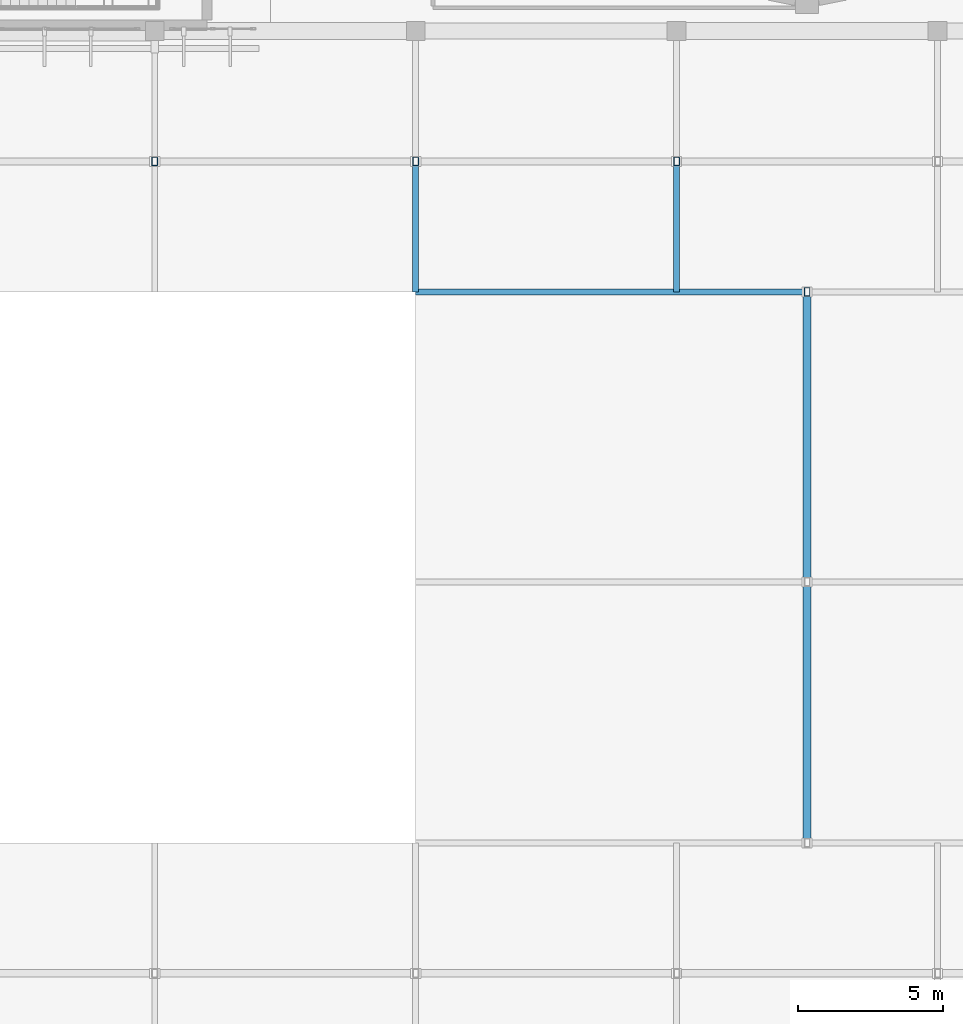
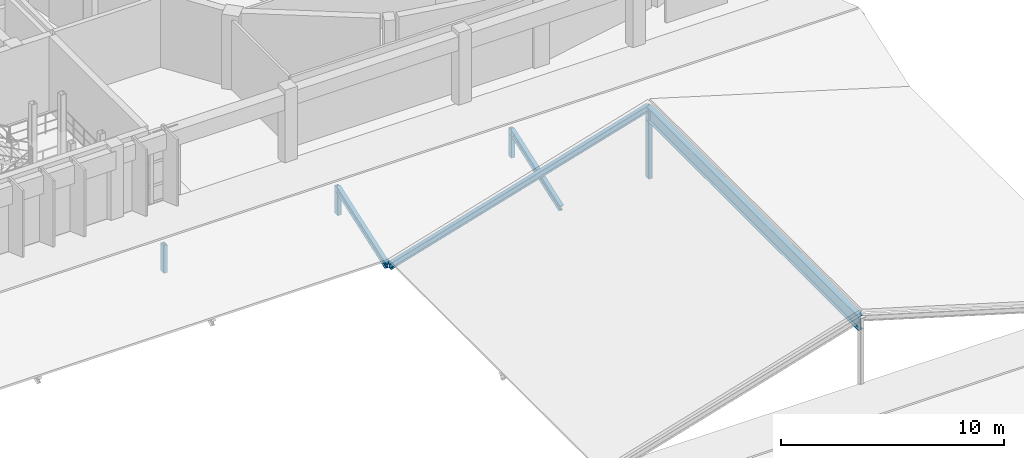
# One storey, part 13 of 80: 7 members, 1 beam.
"""IFC4 building model written with IfcOpenShell, lengths in metres."""

from ifc_helpers import new_model, si_unit, direction, frame, origin, origin_2d, place, context, subcontext, project, spatial, hollow_rectangle, i_section, extrude, material, material_profile, profile_set, type_object, element, save


model = new_model("IFC4")

# Units and contexts
model_context = context("Model", 3, precision=1e-05, world=origin(), true_north=direction((0.0, 1.0)))
body_context = subcontext(model_context, "Body", "Model", "MODEL_VIEW")
ifc_project = project(units=[si_unit("LENGTHUNIT", "METRE"), si_unit("AREAUNIT", "SQUARE_METRE"), si_unit("VOLUMEUNIT", "CUBIC_METRE"), si_unit("PLANEANGLEUNIT", "RADIAN"), si_unit("MASSUNIT", "GRAM", prefix="KILO")], contexts=[model_context])

# Site, building, storey
site_placement = place(None, origin())
site = spatial("IfcSite", under=ifc_project, at=site_placement, CompositionType="ELEMENT")
building_placement = place(site_placement, origin())
building = spatial("IfcBuilding", under=site, at=building_placement, Name="Miravela Opera House", CompositionType="ELEMENT")
storey_placement = place(building_placement, frame((0.0, 0.0, 17.679931640625)))
storey = spatial("IfcBuildingStorey", under=building, at=storey_placement, Name="L04", CompositionType="ELEMENT", Elevation=17.679931640625)

# Beam
ifc_material_1 = material(Name="Structural steel ASTM A992 Gr. 50", Category="steel")
ifc_material_profile_1 = material_profile(ifc_material_1, i_section(OverallWidth=0.26806640625, OverallDepth=0.77001953125, WebThickness=0.015625, FlangeThickness=0.025390625, FilletRadius=0.02001953125, at=origin_2d()), Name="W760X196")
ifc_profile_set_1 = profile_set([ifc_material_profile_1])
beam_type = type_object("IfcBeamType", Name="STR-BM-W760X196", PredefinedType="BEAM", material=ifc_profile_set_1)
beam_placement = place(storey_placement, frame((76.5, 9.0, 3.30517578125), z_axis=(0.0, 1.0, 0.0), x_axis=(-1.0, 0.0, 0.0)))
element("IfcBeam", 1, at=beam_placement, inside=storey, type_object=beam_type, Name="Clay Tile Roof Ridge Beam ROOF-V4-MID", PredefinedType="BEAM", context=body_context, shape_type="SweptSolid", body=[
    extrude(i_section(OverallWidth=0.26806640625, OverallDepth=0.77001953125, WebThickness=0.015625, FlangeThickness=0.025390625, FilletRadius=0.02001953125, at=origin_2d()), origin(), (0.0, 0.0, 1.0), 19.0),
])

# Members
ifc_material_2 = material(Name="Hollow structural steel ASTM A500 Gr. C", Category="steel")
ifc_material_profile_2 = material_profile(ifc_material_2, hollow_rectangle(XDim=0.199951171875, YDim=0.300048828125, WallThickness=0.011962890625, InnerFilletRadius=0.011962890625, OuterFilletRadius=0.02392578125, at=origin_2d()), Name="HSS300X200X12")
ifc_profile_set_2 = profile_set([ifc_material_profile_2])
member_type_1 = type_object("IfcMemberType", Name="STR-MEM-POST-HSS300X200", PredefinedType="POST", material=ifc_profile_set_2)
for number, where, z_axis, x_axis, name in (
    (2, (54.0, 32.5, -0.25), (0.0, 0.0, 1.0), (1.0, 0.0, 0.0), "Roof Ridge Support Post ROOF-V4-WEST-N M4"),
    (3, (63.0, 32.5, -0.25), (0.0, 0.0, 1.0), (1.0, 0.0, 0.0), "Roof Ridge Support Post ROOF-V4-WEST-N M5"),
    (4, (72.0, 32.5, -0.25), (0.0, 0.0, 1.0), (1.0, 0.0, 0.0), "Roof Ridge Support Post ROOF-V4-WEST-N M6"),
):
    element("IfcMember", number, at=place(storey_placement, frame(where, z_axis=z_axis, x_axis=x_axis)), inside=storey, type_object=member_type_1, Name=name, PredefinedType="POST", context=body_context, shape_type="SweptSolid", body=[
        extrude(hollow_rectangle(XDim=0.199951171875, YDim=0.300048828125, WallThickness=0.011962890625, InnerFilletRadius=0.011962890625, OuterFilletRadius=0.02392578125, at=origin_2d()), origin(), (0.0, 0.0, 1.0), 1.510009765625),
    ])
member_1_placement = place(storey_placement, frame((76.5, 28.0, -0.25), z_axis=(0.0, 0.0, 1.0), x_axis=(1.0, 0.0, 0.0)))
element("IfcMember", 5, at=member_1_placement, inside=storey, type_object=member_type_1, Name="Roof Gable King Post ROOF-V4-MID N", PredefinedType="POST", context=body_context, shape_type="SweptSolid", body=[
    extrude(hollow_rectangle(XDim=0.199951171875, YDim=0.300048828125, WallThickness=0.011962890625, InnerFilletRadius=0.011962890625, OuterFilletRadius=0.02392578125, at=origin_2d()), origin(), (0.0, 0.0, 1.0), 3.920166015625),
])
ifc_material_profile_3 = material_profile(ifc_material_1, i_section(OverallWidth=0.2041015625, OverallDepth=0.35009765625, WebThickness=0.008544921875, FlangeThickness=0.01513671875, FilletRadius=0.013916015625, at=origin_2d()), Name="W360X72")
ifc_profile_set_3 = profile_set([ifc_material_profile_3])
member_type_2 = type_object("IfcMemberType", Name="STR-MEM-RAFTER-1", PredefinedType="RAFTER", material=ifc_profile_set_3)
for number, where, z_axis, x_axis, name in (
    (6, (63.0, 28.050048828125, -0.39990234375), (0.0, 0.943687918104, 0.3308369889), (-1.0, 0.0, 0.0), "Pitched Roof Rafter ROOF-V4-WEST-N S5"),
    (7, (72.0, 28.050048828125, -0.39990234375), (0.0, 0.943687918104, 0.3308369889), (-1.0, 0.0, 0.0), "Pitched Roof Rafter ROOF-V4-WEST-N S6"),
):
    element("IfcMember", number, at=place(storey_placement, frame(where, z_axis=z_axis, x_axis=x_axis)), inside=storey, type_object=member_type_2, Name=name, PredefinedType="RAFTER", context=body_context, shape_type="SweptSolid", body=[
        extrude(i_section(OverallWidth=0.2041015625, OverallDepth=0.35009765625, WebThickness=0.008544921875, FlangeThickness=0.01513671875, FilletRadius=0.013916015625, at=origin_2d()), origin(), (0.0, 0.0, 1.0), 4.715576171875),
    ])
member_2_placement = place(storey_placement, frame((63.050048828125, 28.0, -0.39990234375), z_axis=(0.958314670289, 0.0, 0.285714880098), x_axis=(0.0, 1.0, 0.0)))
element("IfcMember", 8, at=member_2_placement, inside=storey, type_object=member_type_2, Name="Pitched Roof Rafter ROOF-V4-MID W2", PredefinedType="RAFTER", context=body_context, shape_type="SweptSolid", body=[
    extrude(i_section(OverallWidth=0.2041015625, OverallDepth=0.35009765625, WebThickness=0.008544921875, FlangeThickness=0.01513671875, FilletRadius=0.013916015625, at=origin_2d()), origin(), (0.0, 0.0, 1.0), 14.034912109375),
])

save(model, "model.ifc")
